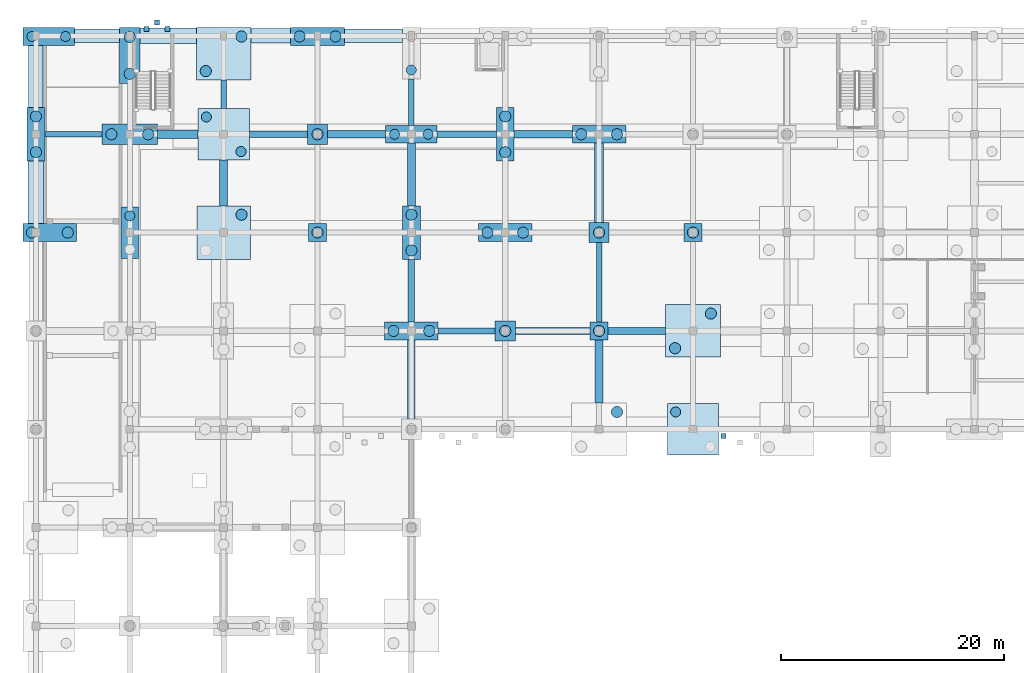
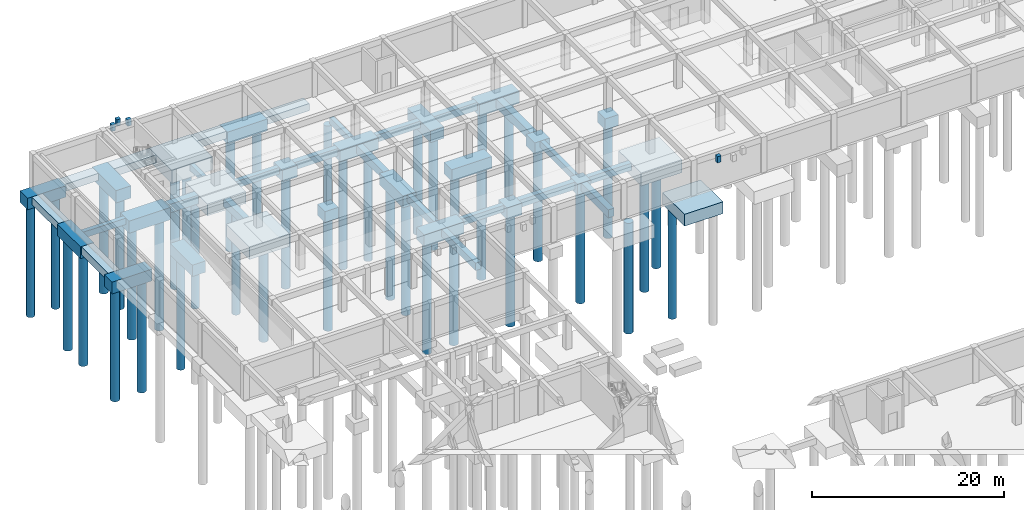
# One storey, part 6 of 41: 52 footings, 41 piles.
"""IFC4 building model written with IfcOpenShell, lengths in metres."""

import ifcopenshell
import ifcopenshell.guid

model = None  # the IFC model being written
_history = None  # IfcOwnerHistory: only IFC2X3 demands one
_inside = {}  # id of a spatial element -> (the spatial element, [elements in it])
_under = {}  # id of a project, library or spatial element -> (it, [spatial elements below it])
_declared = {}  # id of a project -> (the project, [libraries it declares])
_typed = {}  # id of a type object -> (the type object, [elements of that type])
_made_of = {}  # id of a material, layer set ... -> (it, [elements and type objects made of it])


def new_model(schema):
    """Start an empty IFC model of exactly this schema.

    Asked for "IFC4X3", IfcOpenShell would pick the latest addendum, in which some entities
    have other attributes; the version numbers below select the first issue.
    IFC2X3 requires an IfcOwnerHistory on every rooted entity: one is made here for all.
    """
    global model, _history
    if schema == "IFC4X3":
        model = ifcopenshell.file(schema_version=(4, 3, 0, 0))
    else:
        model = ifcopenshell.file(schema=schema)
    _inside.clear()
    _under.clear()
    _declared.clear()
    _typed.clear()
    _made_of.clear()
    _history = None
    if model.schema == "IFC2X3":
        org = make("IfcOrganization", Name="unknown")
        user = make(
            "IfcPersonAndOrganization",
            ThePerson=make("IfcPerson", FamilyName="unknown"),
            TheOrganization=org,
        )
        app = make(
            "IfcApplication",
            ApplicationDeveloper=org,
            Version="unknown",
            ApplicationFullName="unknown",
            ApplicationIdentifier="unknown",
        )
        _history = make(
            "IfcOwnerHistory",
            OwningUser=user,
            OwningApplication=app,
            ChangeAction="ADDED",
            CreationDate=0,
        )
    return model


def make(cls, **values):
    """One entity of the class cls with the attributes given. An attribute that is None is left unset."""
    return model.create_entity(
        cls, **{name: value for name, value in values.items() if value is not None}
    )


def rooted(cls, **values):
    """An entity with a GlobalId (a new one), such as an element, a storey or a relation."""
    return make(cls, GlobalId=ifcopenshell.guid.new(), OwnerHistory=_history, **values)


def si_unit(unit_type, name, prefix=None):
    """IfcSIUnit, for example si_unit("LENGTHUNIT", "METRE", prefix="MILLI")."""
    return make("IfcSIUnit", UnitType=unit_type, Prefix=prefix, Name=name)


def assignment(units):
    """IfcUnitAssignment: the units of a project."""
    return None if units is None else make("IfcUnitAssignment", Units=units)


def point(xyz):
    """IfcCartesianPoint."""
    return None if xyz is None else make("IfcCartesianPoint", Coordinates=xyz)


def direction(xyz):
    """IfcDirection."""
    return None if xyz is None else make("IfcDirection", DirectionRatios=xyz)


def frame(location, z_axis=None, x_axis=None):
    """IfcAxis2Placement3D, a coordinate frame: its origin and axes. An axis left out is left unset."""
    return make(
        "IfcAxis2Placement3D",
        Location=point(location),
        Axis=direction(z_axis),
        RefDirection=direction(x_axis),
    )


def frame_2d(location, x_axis=None):
    """IfcAxis2Placement2D, a coordinate frame in the plane: its origin and x axis."""
    return make(
        "IfcAxis2Placement2D", Location=point(location), RefDirection=direction(x_axis)
    )


def origin():
    """The frame at (0, 0, 0) with its axes left unset."""
    return frame((0.0, 0.0, 0.0))


def origin_2d():
    """The frame at (0, 0) in the plane with its x axis left unset."""
    return frame_2d((0.0, 0.0))


def place(relative_to, where):
    """IfcLocalPlacement: puts the frame where relative to a parent placement (None: the world)."""
    return make(
        "IfcLocalPlacement", PlacementRelTo=relative_to, RelativePlacement=where
    )


def context(
    kind, dimensions, precision=None, world=None, true_north=None, identifier=None
):
    """IfcGeometricRepresentationContext, for example the 3D "Model" context."""
    return make(
        "IfcGeometricRepresentationContext",
        ContextIdentifier=identifier,
        ContextType=kind,
        CoordinateSpaceDimension=dimensions,
        Precision=precision,
        WorldCoordinateSystem=world,
        TrueNorth=true_north,
    )


def subcontext(parent, identifier, kind, view, scale=None):
    """IfcGeometricRepresentationSubContext, for example "Body" below "Model"."""
    return make(
        "IfcGeometricRepresentationSubContext",
        ContextIdentifier=identifier,
        ContextType=kind,
        ParentContext=parent,
        TargetScale=scale,
        TargetView=view,
    )


def project(units=None, contexts=None):
    """IfcProject with its units and contexts."""
    return rooted(
        "IfcProject",
        Name="project",
        RepresentationContexts=contexts,
        UnitsInContext=assignment(units),
    )


def spatial(cls, under=None, at=None, **own):
    """A site, building, storey or space (cls), placed at a placement, below another one or the project."""
    s = rooted(cls, ObjectPlacement=at, **own)
    if under is not None:
        _under.setdefault(under.id(), (under, []))[1].append(s)
    return s


def profile(cls, at=None, kind="AREA", **sizes):
    """A parametric profile (cls). Its sizes go by their IFC names, for example OverallWidth=200.0."""
    return make(cls, ProfileType=kind, Position=at, **sizes)


def rectangle(**sizes):
    """IfcRectangleProfileDef."""
    return profile("IfcRectangleProfileDef", **sizes)


def circle(**sizes):
    """IfcCircleProfileDef."""
    return profile("IfcCircleProfileDef", **sizes)


def extrude(swept, where, along, depth):
    """IfcExtrudedAreaSolid: the profile swept, set in the frame where, extruded along a direction by depth."""
    return make(
        "IfcExtrudedAreaSolid",
        SweptArea=swept,
        Position=where,
        ExtrudedDirection=direction(along),
        Depth=depth,
    )


def shape(context_of_items, identifier, shape_type, items):
    """IfcShapeRepresentation: the items that make up one representation, for example the "Body"."""
    return make(
        "IfcShapeRepresentation",
        ContextOfItems=context_of_items,
        RepresentationIdentifier=identifier,
        RepresentationType=shape_type,
        Items=items,
    )


def material(Name=None, Category=None):
    """IfcMaterial."""
    return make("IfcMaterial", Name=Name, Category=Category)


def material_profile(
    of_material, cross_section, Name=None, Category=None, Priority=None
):
    """IfcMaterialProfile: a cross section and its material."""
    return make(
        "IfcMaterialProfile",
        Name=Name,
        Material=of_material,
        Profile=cross_section,
        Priority=Priority,
        Category=Category,
    )


def profile_set(profiles, Name=None, composite=None):
    """IfcMaterialProfileSet."""
    return make(
        "IfcMaterialProfileSet",
        Name=Name,
        MaterialProfiles=profiles,
        CompositeProfile=composite,
    )


def made_of(thing, what):
    """Note that an element or type object is made of a material, layer set ...; save() writes the relation."""
    if what is not None:
        _made_of.setdefault(what.id(), (what, []))[1].append(thing)
    return thing


def type_object(cls, material=None, **own):
    """A type object (cls), such as IfcWallType, which elements share."""
    return made_of(rooted(cls, **own), material)


def element(
    cls,
    number,
    at=None,
    inside=None,
    cuts=None,
    type_object=None,
    material=None,
    context=None,
    identifier="Body",
    shape_type=None,
    held_by="IfcProductDefinitionShape",
    body=None,
    shapes=None,
    **own,
):
    """One element of the class cls, such as IfcWall. Its Tag is "e" and its number.

    at: its placement. inside: the storey or other place that contains it. cuts: it is an
    opening in that element (IfcRelVoidsElement). A single representation is given by context,
    identifier, shape_type and body (its items); several are given by shapes. held_by: the class
    of the entity that holds the representations. save() writes the other relations.
    """
    e = rooted(cls, Tag="e%d" % number, ObjectPlacement=at, **own)
    if body is not None:
        shapes = [shape(context, identifier, shape_type, body)]
    if shapes is not None:
        e.Representation = make(held_by, Representations=shapes)
    if inside is not None:
        _inside.setdefault(inside.id(), (inside, []))[1].append(e)
    if cuts is not None:
        rooted(
            "IfcRelVoidsElement", RelatingBuildingElement=cuts, RelatedOpeningElement=e
        )
    if type_object is not None:
        _typed.setdefault(type_object.id(), (type_object, []))[1].append(e)
    return made_of(e, material)


def aggregate(whole, parts):
    """IfcRelAggregates: a whole, such as a stair, and the parts it consists of."""
    return rooted("IfcRelAggregates", RelatingObject=whole, RelatedObjects=parts)


def save(model, path):
    """Write the relations noted so far, then the file.

    IfcRelAggregates (storeys below a building ...), IfcRelContainedInSpatialStructure (elements
    in a storey), IfcRelDefinesByType, IfcRelAssociatesMaterial and IfcRelDeclares: one each for
    every whole, place, type object, material and project.
    """
    for whole, parts in _under.values():
        aggregate(whole, parts)
    for where, things in _inside.values():
        rooted(
            "IfcRelContainedInSpatialStructure",
            RelatedElements=things,
            RelatingStructure=where,
        )
    for kind, things in _typed.values():
        rooted("IfcRelDefinesByType", RelatedObjects=things, RelatingType=kind)
    for what, things in _made_of.values():
        rooted("IfcRelAssociatesMaterial", RelatedObjects=things, RelatingMaterial=what)
    for by, libraries in _declared.values():
        rooted("IfcRelDeclares", RelatingContext=by, RelatedDefinitions=libraries)
    model.write(path)


model = new_model("IFC4")

# Units and contexts
model_context = context("Model", 3, precision=1e-05, world=origin(), true_north=direction((0.0, 1.0)))
body_context = subcontext(model_context, "Body", "Model", "MODEL_VIEW")
ifc_project = project(units=[si_unit("LENGTHUNIT", "METRE"), si_unit("AREAUNIT", "SQUARE_METRE"), si_unit("VOLUMEUNIT", "CUBIC_METRE"), si_unit("PLANEANGLEUNIT", "RADIAN"), si_unit("MASSUNIT", "GRAM", prefix="KILO")], contexts=[model_context])

# Site, building, storey
site_placement = place(None, origin())
site = spatial("IfcSite", under=ifc_project, at=site_placement, CompositionType="ELEMENT")
building_placement = place(site_placement, origin())
building = spatial("IfcBuilding", under=site, at=building_placement, Name="Kemercrest Conservatory and Botanical Centre", CompositionType="ELEMENT")
storey_placement = place(building_placement, frame((0.0, 0.0, -4.5)))
storey = spatial("IfcBuildingStorey", under=building, at=storey_placement, Name="B1", CompositionType="ELEMENT", Elevation=-4.5)

# Piles
ifc_material = material(Name="Concrete C40/50", Category="concrete")
ifc_material_profile_1 = material_profile(ifc_material, circle(Radius=0.5, at=origin_2d()), Name="BORED PILE 1000")
ifc_profile_set_1 = profile_set([ifc_material_profile_1], Name="Concrete C40/50")
pile_type_1 = type_object("IfcPileType", Name="BP-01", PredefinedType="BORED", material=ifc_profile_set_1)
for number, where, z_axis, x_axis, name in (
    (1, (7.64990234375, 104.800048828125, -1.81005859375), (0.0, 0.0, -1.0), (1.0, 0.0, 0.0), "Bored pile BP-01 #36"),
    (2, (10.85009765625, 104.800048828125, -1.81005859375), (0.0, 0.0, -1.0), (1.0, 0.0, 0.0), "Bored pile BP-01 #37"),
    (3, (8.0, 112.0, -1.81005859375), (0.0, 0.0, -1.0), (1.0, 0.0, 0.0), "Bored pile BP-01 #38"),
    (4, (8.0, 115.199951171875, -1.81005859375), (0.0, 0.0, -1.0), (1.0, 0.0, 0.0), "Bored pile BP-01 #39"),
):
    element("IfcPile", number, at=place(storey_placement, frame(where, z_axis=z_axis, x_axis=x_axis)), inside=storey, type_object=pile_type_1, Name=name, PredefinedType="BORED", context=body_context, shape_type="SweptSolid", body=[
        extrude(circle(Radius=0.5, at=origin_2d()), origin(), (0.0, 0.0, 1.0), 14.18994140625),
    ])
for number, where, z_axis, x_axis, name in (
    (5, (14.75, 113.60009765625, -1.860107421875), (0.0, 0.0, -1.0), (1.0, 0.0, 0.0), "Bored pile BP-01 #64"),
    (6, (18.050048828125, 113.60009765625, -1.860107421875), (0.0, 0.0, -1.0), (1.0, 0.0, 0.0), "Bored pile BP-01 #65"),
    (7, (16.39990234375, 119.0, -1.860107421875), (0.0, 0.0, -1.0), (1.0, 0.0, 0.0), "Bored pile BP-01 #66"),
    (8, (16.39990234375, 122.300048828125, -1.860107421875), (0.0, 0.0, -1.0), (1.0, 0.0, 0.0), "Bored pile BP-01 #67"),
):
    element("IfcPile", number, at=place(storey_placement, frame(where, z_axis=z_axis, x_axis=x_axis)), inside=storey, type_object=pile_type_1, Name=name, PredefinedType="BORED", context=body_context, shape_type="SweptSolid", body=[
        extrude(circle(Radius=0.5, at=origin_2d()), origin(), (0.0, 0.0, 1.0), 14.139892578125),
    ])
pile_1_placement = place(storey_placement, frame((26.39990234375, 106.39990234375, -1.909912109375), z_axis=(0.0, 0.0, -1.0), x_axis=(1.0, 0.0, 0.0)))
element("IfcPile", 9, at=pile_1_placement, inside=storey, type_object=pile_type_1, Name="Bored pile BP-01 #89", PredefinedType="BORED", context=body_context, shape_type="SweptSolid", body=[
    extrude(circle(Radius=0.5, at=origin_2d()), origin(), (0.0, 0.0, 1.0), 14.090087890625),
])
for number, where, z_axis, x_axis, name in (
    (10, (23.199951171875, 119.25, -1.9599609375), (0.0, 0.0, -1.0), (1.0, 0.0, 0.0), "Bored pile BP-01 #92"),
    (11, (26.39990234375, 122.35009765625, -1.9599609375), (0.0, 0.0, -1.0), (1.0, 0.0, 0.0), "Bored pile BP-01 #93"),
):
    element("IfcPile", number, at=place(storey_placement, frame(where, z_axis=z_axis, x_axis=x_axis)), inside=storey, type_object=pile_type_1, Name=name, PredefinedType="BORED", context=body_context, shape_type="SweptSolid", body=[
        extrude(circle(Radius=0.5, at=origin_2d()), origin(), (0.0, 0.0, 1.0), 14.0400390625),
    ])
pile_2_placement = place(storey_placement, frame((33.199951171875, 104.800048828125, -1.7099609375), z_axis=(0.0, 0.0, -1.0), x_axis=(1.0, 0.0, 0.0)))
element("IfcPile", 12, at=pile_2_placement, inside=storey, type_object=pile_type_1, Name="Bored pile BP-01 #114", PredefinedType="BORED", context=body_context, shape_type="SweptSolid", body=[
    extrude(circle(Radius=0.5, at=origin_2d()), origin(), (0.0, 0.0, 1.0), 14.2900390625),
])
pile_3_placement = place(storey_placement, frame((33.199951171875, 113.60009765625, -1.760009765625), z_axis=(0.0, 0.0, -1.0), x_axis=(1.0, 0.0, 0.0)))
element("IfcPile", 13, at=pile_3_placement, inside=storey, type_object=pile_type_1, Name="Bored pile BP-01 #115", PredefinedType="BORED", context=body_context, shape_type="SweptSolid", body=[
    extrude(circle(Radius=0.5, at=origin_2d()), origin(), (0.0, 0.0, 1.0), 14.239990234375),
])
for number, where, z_axis, x_axis, name in (
    (14, (31.60009765625, 122.35009765625, -1.81005859375), (0.0, 0.0, -1.0), (1.0, 0.0, 0.0), "Bored pile BP-01 #116"),
    (15, (34.800048828125, 122.35009765625, -1.81005859375), (0.0, 0.0, -1.0), (1.0, 0.0, 0.0), "Bored pile BP-01 #117"),
    (16, (40.0, 96.0, -1.81005859375), (0.0, 0.0, -1.0), (1.0, 0.0, 0.0), "Bored pile BP-01 #136"),
    (17, (43.199951171875, 96.0, -1.81005859375), (0.0, 0.0, -1.0), (1.0, 0.0, 0.0), "Bored pile BP-01 #137"),
    (18, (41.60009765625, 103.199951171875, -1.81005859375), (0.0, 0.0, -1.0), (1.0, 0.0, 0.0), "Bored pile BP-01 #138"),
    (19, (41.60009765625, 106.39990234375, -1.81005859375), (0.0, 0.0, -1.0), (1.0, 0.0, 0.0), "Bored pile BP-01 #139"),
):
    element("IfcPile", number, at=place(storey_placement, frame(where, z_axis=z_axis, x_axis=x_axis)), inside=storey, type_object=pile_type_1, Name=name, PredefinedType="BORED", context=body_context, shape_type="SweptSolid", body=[
        extrude(circle(Radius=0.5, at=origin_2d()), origin(), (0.0, 0.0, 1.0), 14.18994140625),
    ])
pile_4_placement = place(storey_placement, frame((50.0, 96.0, -1.760009765625), z_axis=(0.0, 0.0, -1.0), x_axis=(1.0, 0.0, 0.0)))
element("IfcPile", 20, at=pile_4_placement, inside=storey, type_object=pile_type_1, Name="Bored pile BP-01 #155", PredefinedType="BORED", context=body_context, shape_type="SweptSolid", body=[
    extrude(circle(Radius=0.5, at=origin_2d()), origin(), (0.0, 0.0, 1.0), 14.239990234375),
])
for number, where, z_axis, x_axis, name in (
    (21, (48.39990234375, 104.800048828125, -1.81005859375), (0.0, 0.0, -1.0), (1.0, 0.0, 0.0), "Bored pile BP-01 #156"),
    (22, (51.60009765625, 104.800048828125, -1.81005859375), (0.0, 0.0, -1.0), (1.0, 0.0, 0.0), "Bored pile BP-01 #157"),
    (23, (50.0, 112.0, -1.81005859375), (0.0, 0.0, -1.0), (1.0, 0.0, 0.0), "Bored pile BP-01 #158"),
    (24, (50.0, 115.199951171875, -1.81005859375), (0.0, 0.0, -1.0), (1.0, 0.0, 0.0), "Bored pile BP-01 #159"),
):
    element("IfcPile", number, at=place(storey_placement, frame(where, z_axis=z_axis, x_axis=x_axis)), inside=storey, type_object=pile_type_1, Name=name, PredefinedType="BORED", context=body_context, shape_type="SweptSolid", body=[
        extrude(circle(Radius=0.5, at=origin_2d()), origin(), (0.0, 0.0, 1.0), 14.18994140625),
    ])
pile_5_placement = place(storey_placement, frame((60.0, 88.75, -1.9599609375), z_axis=(0.0, 0.0, -1.0), x_axis=(1.0, 0.0, 0.0)))
element("IfcPile", 25, at=pile_5_placement, inside=storey, type_object=pile_type_1, Name="Bored pile BP-01 #173", PredefinedType="BORED", context=body_context, shape_type="SweptSolid", body=[
    extrude(circle(Radius=0.5, at=origin_2d()), origin(), (0.0, 0.0, 1.0), 14.0400390625),
])
pile_6_placement = place(storey_placement, frame((58.39990234375, 96.0, -1.7099609375), z_axis=(0.0, 0.0, -1.0), x_axis=(1.0, 0.0, 0.0)))
element("IfcPile", 26, at=pile_6_placement, inside=storey, type_object=pile_type_1, Name="Bored pile BP-01 #174", PredefinedType="BORED", context=body_context, shape_type="SweptSolid", body=[
    extrude(circle(Radius=0.5, at=origin_2d()), origin(), (0.0, 0.0, 1.0), 14.2900390625),
])
pile_7_placement = place(storey_placement, frame((58.39990234375, 104.800048828125, -1.760009765625), z_axis=(0.0, 0.0, -1.0), x_axis=(1.0, 0.0, 0.0)))
element("IfcPile", 27, at=pile_7_placement, inside=storey, type_object=pile_type_1, Name="Bored pile BP-01 #175", PredefinedType="BORED", context=body_context, shape_type="SweptSolid", body=[
    extrude(circle(Radius=0.5, at=origin_2d()), origin(), (0.0, 0.0, 1.0), 14.239990234375),
])
for number, where, z_axis, x_axis, name in (
    (28, (56.800048828125, 113.60009765625, -1.81005859375), (0.0, 0.0, -1.0), (1.0, 0.0, 0.0), "Bored pile BP-01 #176"),
    (29, (60.0, 113.60009765625, -1.81005859375), (0.0, 0.0, -1.0), (1.0, 0.0, 0.0), "Bored pile BP-01 #177"),
):
    element("IfcPile", number, at=place(storey_placement, frame(where, z_axis=z_axis, x_axis=x_axis)), inside=storey, type_object=pile_type_1, Name=name, PredefinedType="BORED", context=body_context, shape_type="SweptSolid", body=[
        extrude(circle(Radius=0.5, at=origin_2d()), origin(), (0.0, 0.0, 1.0), 14.18994140625),
    ])
for number, where, z_axis, x_axis, name in (
    (30, (65.199951171875, 94.449951171875, -1.9599609375), (0.0, 0.0, -1.0), (1.0, 0.0, 0.0), "Bored pile BP-01 #192"),
    (31, (68.39990234375, 97.550048828125, -1.9599609375), (0.0, 0.0, -1.0), (1.0, 0.0, 0.0), "Bored pile BP-01 #193"),
):
    element("IfcPile", number, at=place(storey_placement, frame(where, z_axis=z_axis, x_axis=x_axis)), inside=storey, type_object=pile_type_1, Name=name, PredefinedType="BORED", context=body_context, shape_type="SweptSolid", body=[
        extrude(circle(Radius=0.5, at=origin_2d()), origin(), (0.0, 0.0, 1.0), 14.0400390625),
    ])
pile_8_placement = place(storey_placement, frame((66.800048828125, 104.800048828125, -1.7099609375), z_axis=(0.0, 0.0, -1.0), x_axis=(1.0, 0.0, 0.0)))
element("IfcPile", 32, at=pile_8_placement, inside=storey, type_object=pile_type_1, Name="Bored pile BP-01 #194", PredefinedType="BORED", context=body_context, shape_type="SweptSolid", body=[
    extrude(circle(Radius=0.5, at=origin_2d()), origin(), (0.0, 0.0, 1.0), 14.2900390625),
])
ifc_material_profile_2 = material_profile(ifc_material, circle(Radius=0.449951171875, at=origin_2d()), Name="BORED PILE 900")
ifc_profile_set_2 = profile_set([ifc_material_profile_2], Name="Concrete C40/50")
pile_type_2 = type_object("IfcPileType", Name="BP-02", PredefinedType="BORED", material=ifc_profile_set_2)
for number, where, z_axis, x_axis, name in (
    (33, (7.64990234375, 122.35009765625, -1.760009765625), (0.0, 0.0, -1.0), (1.0, 0.0, 0.0), "Bored pile BP-02 #40"),
    (34, (10.64990234375, 122.35009765625, -1.760009765625), (0.0, 0.0, -1.0), (1.0, 0.0, 0.0), "Bored pile BP-02 #41"),
    (35, (16.39990234375, 106.300048828125, -1.760009765625), (0.0, 0.0, -1.0), (1.0, 0.0, 0.0), "Bored pile BP-02 #63"),
):
    element("IfcPile", number, at=place(storey_placement, frame(where, z_axis=z_axis, x_axis=x_axis)), inside=storey, type_object=pile_type_2, Name=name, PredefinedType="BORED", context=body_context, shape_type="SweptSolid", body=[
        extrude(circle(Radius=0.449951171875, at=origin_2d()), origin(), (0.0, 0.0, 1.0), 14.239990234375),
    ])
for number, where, z_axis, x_axis, name in (
    (36, (23.25, 115.14990234375, -1.81005859375), (0.0, 0.0, -1.0), (1.0, 0.0, 0.0), "Bored pile BP-02 #90"),
    (37, (26.35009765625, 112.050048828125, -1.81005859375), (0.0, 0.0, -1.0), (1.0, 0.0, 0.0), "Bored pile BP-02 #91"),
):
    element("IfcPile", number, at=place(storey_placement, frame(where, z_axis=z_axis, x_axis=x_axis)), inside=storey, type_object=pile_type_2, Name=name, PredefinedType="BORED", context=body_context, shape_type="SweptSolid", body=[
        extrude(circle(Radius=0.449951171875, at=origin_2d()), origin(), (0.0, 0.0, 1.0), 14.18994140625),
    ])
for number, where, z_axis, x_axis, name in (
    (38, (40.10009765625, 113.60009765625, -1.760009765625), (0.0, 0.0, -1.0), (1.0, 0.0, 0.0), "Bored pile BP-02 #140"),
    (39, (43.10009765625, 113.60009765625, -1.760009765625), (0.0, 0.0, -1.0), (1.0, 0.0, 0.0), "Bored pile BP-02 #141"),
    (40, (41.60009765625, 119.35009765625, -1.760009765625), (0.0, 0.0, -1.0), (1.0, 0.0, 0.0), "Bored pile BP-02 #142"),
):
    element("IfcPile", number, at=place(storey_placement, frame(where, z_axis=z_axis, x_axis=x_axis)), inside=storey, type_object=pile_type_2, Name=name, PredefinedType="BORED", context=body_context, shape_type="SweptSolid", body=[
        extrude(circle(Radius=0.449951171875, at=origin_2d()), origin(), (0.0, 0.0, 1.0), 14.239990234375),
    ])
pile_9_placement = place(storey_placement, frame((65.25, 88.75, -1.81005859375), z_axis=(0.0, 0.0, -1.0), x_axis=(1.0, 0.0, 0.0)))
element("IfcPile", 41, at=pile_9_placement, inside=storey, type_object=pile_type_2, Name="Bored pile BP-02 #190", PredefinedType="BORED", context=body_context, shape_type="SweptSolid", body=[
    extrude(circle(Radius=0.449951171875, at=origin_2d()), origin(), (0.0, 0.0, 1.0), 14.18994140625),
])

# Footings
footing_type_1 = type_object("IfcFootingType", Name="FB-01", PredefinedType="FOOTING_BEAM", material=ifc_material)
footing_1_placement = place(storey_placement, frame((61.77490234375, 96.0, -1.31005859375), z_axis=(0.0, 0.0, 1.0), x_axis=(1.0, 0.0, 0.0)))
element("IfcFooting", 42, at=footing_1_placement, inside=storey, type_object=footing_type_1, Name="Seismic tie footing beam FB-01", PredefinedType="FOOTING_BEAM", context=body_context, shape_type="SweptSolid", body=[
    extrude(rectangle(XDim=5.14990234375, YDim=0.60009765625, at=origin_2d()), origin(), (0.0, 0.0, 1.0), 0.89990234375),
])
footing_2_placement = place(storey_placement, frame((46.550048828125, 113.60009765625, -1.31005859375), z_axis=(0.0, 0.0, 1.0), x_axis=(1.0, 0.0, 0.0)))
element("IfcFooting", 43, at=footing_2_placement, inside=storey, type_object=footing_type_1, Name="Seismic tie footing beam FB-01", PredefinedType="FOOTING_BEAM", context=body_context, shape_type="SweptSolid", body=[
    extrude(rectangle(XDim=5.300048828125, YDim=0.60009765625, at=origin_2d()), origin(), (0.0, 0.0, 1.0), 0.89990234375),
])
footing_3_placement = place(storey_placement, frame((41.60009765625, 99.60009765625, -1.31005859375), z_axis=(0.0, 0.0, 1.0), x_axis=(1.0, 0.0, 0.0)))
element("IfcFooting", 44, at=footing_3_placement, inside=storey, type_object=footing_type_1, Name="Seismic tie footing beam FB-01", PredefinedType="FOOTING_BEAM", context=body_context, shape_type="SweptSolid", body=[
    extrude(rectangle(XDim=0.60009765625, YDim=5.60009765625, at=origin_2d()), origin(), (0.0, 0.0, 1.0), 0.89990234375),
])
footing_type_2 = type_object("IfcFootingType", Name="FB-02", PredefinedType="FOOTING_BEAM", material=ifc_material)
footing_4_placement = place(storey_placement, frame((53.39990234375, 113.60009765625, -1.409912109375), z_axis=(0.0, 0.0, 1.0), x_axis=(1.0, 0.0, 0.0)))
element("IfcFooting", 45, at=footing_4_placement, inside=storey, type_object=footing_type_2, Name="Seismic tie footing beam FB-02", PredefinedType="FOOTING_BEAM", context=body_context, shape_type="SweptSolid", body=[
    extrude(rectangle(XDim=5.199951171875, YDim=0.699951171875, at=origin_2d()), origin(), (0.0, 0.0, 1.0), 1.0),
])
footing_5_placement = place(storey_placement, frame((24.800048828125, 109.25, -1.409912109375), z_axis=(0.0, 0.0, 1.0), x_axis=(1.0, 0.0, 0.0)))
element("IfcFooting", 46, at=footing_5_placement, inside=storey, type_object=footing_type_2, Name="Seismic tie footing beam FB-02", PredefinedType="FOOTING_BEAM", context=body_context, shape_type="SweptSolid", body=[
    extrude(rectangle(XDim=0.699951171875, YDim=4.10009765625, at=origin_2d()), origin(), (0.0, 0.0, 1.0), 1.0),
])
footing_6_placement = place(storey_placement, frame((41.60009765625, 110.0, -1.409912109375), z_axis=(0.0, 0.0, 1.0), x_axis=(1.0, 0.0, 0.0)))
element("IfcFooting", 47, at=footing_6_placement, inside=storey, type_object=footing_type_2, Name="Seismic tie footing beam FB-02", PredefinedType="FOOTING_BEAM", context=body_context, shape_type="SweptSolid", body=[
    extrude(rectangle(XDim=0.699951171875, YDim=5.60009765625, at=origin_2d()), origin(), (0.0, 0.0, 1.0), 1.0),
])
footing_7_placement = place(storey_placement, frame((58.39990234375, 92.375, -1.409912109375), z_axis=(0.0, 0.0, 1.0), x_axis=(1.0, 0.0, 0.0)))
element("IfcFooting", 48, at=footing_7_placement, inside=storey, type_object=footing_type_2, Name="Seismic tie footing beam FB-02", PredefinedType="FOOTING_BEAM", context=body_context, shape_type="SweptSolid", body=[
    extrude(rectangle(XDim=0.699951171875, YDim=5.64990234375, at=origin_2d()), origin(), (0.0, 0.0, 1.0), 1.0),
])
footing_type_3 = type_object("IfcFootingType", Name="FB-03", PredefinedType="FOOTING_BEAM", material=ifc_material)
footing_8_placement = place(storey_placement, frame((11.35009765625, 113.60009765625, -1.2099609375), z_axis=(0.0, 0.0, 1.0), x_axis=(1.0, 0.0, 0.0)))
element("IfcFooting", 49, at=footing_8_placement, inside=storey, type_object=footing_type_3, Name="Seismic tie footing beam FB-03", PredefinedType="FOOTING_BEAM", context=body_context, shape_type="SweptSolid", body=[
    extrude(rectangle(XDim=5.10009765625, YDim=0.5, at=origin_2d()), origin(), (0.0, 0.0, 1.0), 0.800048828125),
])
footing_9_placement = place(storey_placement, frame((24.800048828125, 117.175048828125, -1.2099609375), z_axis=(0.0, 0.0, 1.0), x_axis=(1.0, 0.0, 0.0)))
element("IfcFooting", 50, at=footing_9_placement, inside=storey, type_object=footing_type_3, Name="Seismic tie footing beam FB-03", PredefinedType="FOOTING_BEAM", context=body_context, shape_type="SweptSolid", body=[
    extrude(rectangle(XDim=0.5, YDim=2.550048828125, at=origin_2d()), origin(), (0.0, 0.0, 1.0), 0.800048828125),
])
footing_10_placement = place(storey_placement, frame((41.60009765625, 116.47509765625, -1.2099609375), z_axis=(0.0, 0.0, 1.0), x_axis=(1.0, 0.0, 0.0)))
element("IfcFooting", 51, at=footing_10_placement, inside=storey, type_object=footing_type_3, Name="Seismic tie footing beam FB-03", PredefinedType="FOOTING_BEAM", context=body_context, shape_type="SweptSolid", body=[
    extrude(rectangle(XDim=0.5, YDim=4.14990234375, at=origin_2d()), origin(), (0.0, 0.0, 1.0), 0.800048828125),
])
footing_11_placement = place(storey_placement, frame((58.39990234375, 100.35009765625, -1.2099609375), z_axis=(0.0, 0.0, 1.0), x_axis=(1.0, 0.0, 0.0)))
element("IfcFooting", 52, at=footing_11_placement, inside=storey, type_object=footing_type_3, Name="Seismic tie footing beam FB-03", PredefinedType="FOOTING_BEAM", context=body_context, shape_type="SweptSolid", body=[
    extrude(rectangle(XDim=0.5, YDim=7.10009765625, at=origin_2d()), origin(), (0.0, 0.0, 1.0), 0.800048828125),
])
footing_type_4 = type_object("IfcFootingType", Name="FB-04", PredefinedType="FOOTING_BEAM", material=ifc_material)
footing_12_placement = place(storey_placement, frame((20.699951171875, 113.60009765625, -1.510009765625), z_axis=(0.0, 0.0, 1.0), x_axis=(1.0, 0.0, 0.0)))
element("IfcFooting", 53, at=footing_12_placement, inside=storey, type_object=footing_type_4, Name="Seismic tie footing beam FB-04", PredefinedType="FOOTING_BEAM", context=body_context, shape_type="SweptSolid", body=[
    extrude(rectangle(XDim=3.60009765625, YDim=0.800048828125, at=origin_2d()), origin(), (0.0, 0.0, 1.0), 1.10009765625),
])
footing_13_placement = place(storey_placement, frame((58.39990234375, 109.25, -1.510009765625), z_axis=(0.0, 0.0, 1.0), x_axis=(1.0, 0.0, 0.0)))
element("IfcFooting", 54, at=footing_13_placement, inside=storey, type_object=footing_type_4, Name="Seismic tie footing beam FB-04", PredefinedType="FOOTING_BEAM", context=body_context, shape_type="SweptSolid", body=[
    extrude(rectangle(XDim=0.800048828125, YDim=7.10009765625, at=origin_2d()), origin(), (0.0, 0.0, 1.0), 1.10009765625),
])
footing_type_5 = type_object("IfcFootingType", Name="FB-05", PredefinedType="FOOTING_BEAM", material=ifc_material)
footing_14_placement = place(storey_placement, frame((46.550048828125, 96.0, -1.260009765625), z_axis=(0.0, 0.0, 1.0), x_axis=(1.0, 0.0, 0.0)))
element("IfcFooting", 55, at=footing_14_placement, inside=storey, type_object=footing_type_5, Name="Seismic tie footing beam FB-05", PredefinedType="FOOTING_BEAM", context=body_context, shape_type="SweptSolid", body=[
    extrude(rectangle(XDim=5.10009765625, YDim=0.550048828125, at=origin_2d()), origin(), (0.0, 0.0, 1.0), 0.85009765625),
])
footing_15_placement = place(storey_placement, frame((29.699951171875, 113.60009765625, -1.260009765625), z_axis=(0.0, 0.0, 1.0), x_axis=(1.0, 0.0, 0.0)))
element("IfcFooting", 56, at=footing_15_placement, inside=storey, type_object=footing_type_5, Name="Seismic tie footing beam FB-05", PredefinedType="FOOTING_BEAM", context=body_context, shape_type="SweptSolid", body=[
    extrude(rectangle(XDim=5.199951171875, YDim=0.550048828125, at=origin_2d()), origin(), (0.0, 0.0, 1.0), 0.85009765625),
])
footing_type_6 = type_object("IfcFootingType", Name="FB-06", PredefinedType="FOOTING_BEAM", material=ifc_material)
footing_16_placement = place(storey_placement, frame((54.25, 96.0, -1.35986328125), z_axis=(0.0, 0.0, 1.0), x_axis=(1.0, 0.0, 0.0)))
element("IfcFooting", 57, at=footing_16_placement, inside=storey, type_object=footing_type_6, Name="Seismic tie footing beam FB-06", PredefinedType="FOOTING_BEAM", context=body_context, shape_type="SweptSolid", body=[
    extrude(rectangle(XDim=6.699951171875, YDim=0.64990234375, at=origin_2d()), origin(), (0.0, 0.0, 1.0), 0.949951171875),
])
footing_17_placement = place(storey_placement, frame((36.699951171875, 113.60009765625, -1.35986328125), z_axis=(0.0, 0.0, 1.0), x_axis=(1.0, 0.0, 0.0)))
element("IfcFooting", 58, at=footing_17_placement, inside=storey, type_object=footing_type_6, Name="Seismic tie footing beam FB-06", PredefinedType="FOOTING_BEAM", context=body_context, shape_type="SweptSolid", body=[
    extrude(rectangle(XDim=5.199951171875, YDim=0.64990234375, at=origin_2d()), origin(), (0.0, 0.0, 1.0), 0.949951171875),
])
footing_18_placement = place(storey_placement, frame((41.60009765625, 91.64990234375, -1.35986328125), z_axis=(0.0, 0.0, 1.0), x_axis=(1.0, 0.0, 0.0)))
element("IfcFooting", 59, at=footing_18_placement, inside=storey, type_object=footing_type_6, Name="Seismic tie footing beam FB-06", PredefinedType="FOOTING_BEAM", context=body_context, shape_type="SweptSolid", body=[
    extrude(rectangle(XDim=0.64990234375, YDim=7.10009765625, at=origin_2d()), origin(), (0.0, 0.0, 1.0), 0.949951171875),
])
footing_type_7 = type_object("IfcFootingType", Name="PC-01", PredefinedType="PILE_CAP", material=ifc_material)
for number, where, z_axis, x_axis, name in (
    (60, (33.199951171875, 104.800048828125, -1.81005859375), (0.0, 0.0, 1.0), (1.0, 0.0, 0.0), "Pile cap PC-01 at (33.2, 104.8)"),
    (61, (58.39990234375, 96.0, -1.81005859375), (0.0, 0.0, 1.0), (1.0, 0.0, 0.0), "Pile cap PC-01 at (58.4, 96.0)"),
    (62, (66.800048828125, 104.800048828125, -1.81005859375), (0.0, 0.0, 1.0), (1.0, 0.0, 0.0), "Pile cap PC-01 at (66.8, 104.8)"),
):
    element("IfcFooting", number, at=place(storey_placement, frame(where, z_axis=z_axis, x_axis=x_axis)), inside=storey, type_object=footing_type_7, Name=name, PredefinedType="PILE_CAP", context=body_context, shape_type="SweptSolid", body=[
        extrude(rectangle(XDim=1.60009765625, YDim=1.60009765625, at=origin_2d()), origin(), (0.0, 0.0, 1.0), 1.39990234375),
    ])
footing_type_8 = type_object("IfcFootingType", Name="PC-02", PredefinedType="PILE_CAP", material=ifc_material)
for number, where, z_axis, x_axis, name in (
    (63, (9.25, 104.800048828125, -1.909912109375), (0.0, 0.0, 1.0), (1.0, 0.0, 0.0), "Pile cap PC-02 at (9.2, 104.8)"),
    (64, (33.199951171875, 122.35009765625, -1.909912109375), (0.0, 0.0, 1.0), (1.0, 0.0, 0.0), "Pile cap PC-02 at (33.2, 122.3)"),
    (65, (41.60009765625, 96.0, -1.909912109375), (0.0, 0.0, 1.0), (1.0, 0.0, 0.0), "Pile cap PC-02 at (41.6, 96.0)"),
    (66, (50.0, 104.800048828125, -1.909912109375), (0.0, 0.0, 1.0), (1.0, 0.0, 0.0), "Pile cap PC-02 at (50.0, 104.8)"),
    (67, (58.39990234375, 113.60009765625, -1.909912109375), (0.0, 0.0, 1.0), (1.0, 0.0, 0.0), "Pile cap PC-02 at (58.4, 113.6)"),
):
    element("IfcFooting", number, at=place(storey_placement, frame(where, z_axis=z_axis, x_axis=x_axis)), inside=storey, type_object=footing_type_8, Name=name, PredefinedType="PILE_CAP", context=body_context, shape_type="SweptSolid", body=[
        extrude(rectangle(XDim=4.800048828125, YDim=1.60009765625, at=origin_2d()), origin(), (0.0, 0.0, 1.0), 1.5),
    ])
footing_type_9 = type_object("IfcFootingType", Name="PC-03", PredefinedType="PILE_CAP", material=ifc_material)
for number, where, z_axis, x_axis, name in (
    (68, (8.0, 113.60009765625, -1.909912109375), (0.0, 0.0, 1.0), (1.0, 0.0, 0.0), "Pile cap PC-03 at (8.0, 113.6)"),
    (69, (41.60009765625, 104.800048828125, -1.909912109375), (0.0, 0.0, 1.0), (1.0, 0.0, 0.0), "Pile cap PC-03 at (41.6, 104.8)"),
    (70, (50.0, 113.60009765625, -1.909912109375), (0.0, 0.0, 1.0), (1.0, 0.0, 0.0), "Pile cap PC-03 at (50.0, 113.6)"),
):
    element("IfcFooting", number, at=place(storey_placement, frame(where, z_axis=z_axis, x_axis=x_axis)), inside=storey, type_object=footing_type_9, Name=name, PredefinedType="PILE_CAP", context=body_context, shape_type="SweptSolid", body=[
        extrude(rectangle(XDim=1.60009765625, YDim=4.800048828125, at=origin_2d()), origin(), (0.0, 0.0, 1.0), 1.5),
    ])
footing_type_10 = type_object("IfcFootingType", Name="PC-04", PredefinedType="PILE_CAP", material=ifc_material)
footing_19_placement = place(storey_placement, frame((24.800048828125, 104.800048828125, -2.010009765625), z_axis=(0.0, 0.0, 1.0), x_axis=(1.0, 0.0, 0.0)))
element("IfcFooting", 71, at=footing_19_placement, inside=storey, type_object=footing_type_10, Name="Pile cap PC-04 at (24.8, 104.8)", PredefinedType="PILE_CAP", context=body_context, shape_type="SweptSolid", body=[
    extrude(rectangle(XDim=4.800048828125, YDim=4.800048828125, at=origin_2d()), origin(), (0.0, 0.0, 1.0), 1.60009765625),
])
footing_type_11 = type_object("IfcFootingType", Name="PC-05", PredefinedType="PILE_CAP", material=ifc_material)
for number, where, z_axis, x_axis, name in (
    (72, (24.800048828125, 113.60009765625, -1.909912109375), (0.0, 0.0, 1.0), (1.0, 0.0, 0.0), "Pile cap PC-05 at (24.8, 113.6)"),
    (73, (66.800048828125, 87.199951171875, -1.909912109375), (0.0, 0.0, 1.0), (1.0, 0.0, 0.0), "Pile cap PC-05 at (66.8, 87.2)"),
):
    element("IfcFooting", number, at=place(storey_placement, frame(where, z_axis=z_axis, x_axis=x_axis)), inside=storey, type_object=footing_type_11, Name=name, PredefinedType="PILE_CAP", context=body_context, shape_type="SweptSolid", body=[
        extrude(rectangle(XDim=4.60009765625, YDim=4.60009765625, at=origin_2d()), origin(), (0.0, 0.0, 1.0), 1.5),
    ])
footing_type_12 = type_object("IfcFootingType", Name="PC-08", PredefinedType="PILE_CAP", material=ifc_material)
for number, where, z_axis, x_axis, name in (
    (74, (9.14990234375, 122.35009765625, -1.85986328125), (0.0, 0.0, 1.0), (1.0, 0.0, 0.0), "Pile cap PC-08 at (9.2, 122.3)"),
    (75, (41.60009765625, 113.60009765625, -1.85986328125), (0.0, 0.0, 1.0), (1.0, 0.0, 0.0), "Pile cap PC-08 at (41.6, 113.6)"),
):
    element("IfcFooting", number, at=place(storey_placement, frame(where, z_axis=z_axis, x_axis=x_axis)), inside=storey, type_object=footing_type_12, Name=name, PredefinedType="PILE_CAP", context=body_context, shape_type="SweptSolid", body=[
        extrude(rectangle(XDim=4.60009765625, YDim=1.60009765625, at=origin_2d()), origin(), (0.0, 0.0, 1.0), 1.449951171875),
    ])
footing_type_13 = type_object("IfcFootingType", Name="PC-09", PredefinedType="PILE_CAP", material=ifc_material)
footing_20_placement = place(storey_placement, frame((16.39990234375, 104.800048828125, -1.85986328125), z_axis=(0.0, 0.0, 1.0), x_axis=(1.0, 0.0, 0.0)))
element("IfcFooting", 76, at=footing_20_placement, inside=storey, type_object=footing_type_13, Name="Pile cap PC-09 at (16.4, 104.8)", PredefinedType="PILE_CAP", context=body_context, shape_type="SweptSolid", body=[
    extrude(rectangle(XDim=1.60009765625, YDim=4.60009765625, at=origin_2d()), origin(), (0.0, 0.0, 1.0), 1.449951171875),
])
footing_type_14 = type_object("IfcFootingType", Name="PC-12", PredefinedType="PILE_CAP", material=ifc_material)
for number, where, z_axis, x_axis, name in (
    (77, (33.199951171875, 113.60009765625, -1.85986328125), (0.0, 0.0, 1.0), (1.0, 0.0, 0.0), "Pile cap PC-12 at (33.2, 113.6)"),
    (78, (50.0, 96.0, -1.85986328125), (0.0, 0.0, 1.0), (1.0, 0.0, 0.0), "Pile cap PC-12 at (50.0, 96.0)"),
    (79, (58.39990234375, 104.800048828125, -1.85986328125), (0.0, 0.0, 1.0), (1.0, 0.0, 0.0), "Pile cap PC-12 at (58.4, 104.8)"),
):
    element("IfcFooting", number, at=place(storey_placement, frame(where, z_axis=z_axis, x_axis=x_axis)), inside=storey, type_object=footing_type_14, Name=name, PredefinedType="PILE_CAP", context=body_context, shape_type="SweptSolid", body=[
        extrude(rectangle(XDim=1.800048828125, YDim=1.800048828125, at=origin_2d()), origin(), (0.0, 0.0, 1.0), 1.449951171875),
    ])
footing_type_15 = type_object("IfcFootingType", Name="PC-13", PredefinedType="PILE_CAP", material=ifc_material)
footing_21_placement = place(storey_placement, frame((16.39990234375, 113.60009765625, -1.9599609375), z_axis=(0.0, 0.0, 1.0), x_axis=(1.0, 0.0, 0.0)))
element("IfcFooting", 80, at=footing_21_placement, inside=storey, type_object=footing_type_15, Name="Pile cap PC-13 at (16.4, 113.6)", PredefinedType="PILE_CAP", context=body_context, shape_type="SweptSolid", body=[
    extrude(rectangle(XDim=5.0, YDim=1.800048828125, at=origin_2d()), origin(), (0.0, 0.0, 1.0), 1.550048828125),
])
footing_type_16 = type_object("IfcFootingType", Name="PC-14", PredefinedType="PILE_CAP", material=ifc_material)
footing_22_placement = place(storey_placement, frame((16.39990234375, 120.64990234375, -1.9599609375), z_axis=(0.0, 0.0, 1.0), x_axis=(1.0, 0.0, 0.0)))
element("IfcFooting", 81, at=footing_22_placement, inside=storey, type_object=footing_type_16, Name="Pile cap PC-14 at (16.4, 120.7)", PredefinedType="PILE_CAP", context=body_context, shape_type="SweptSolid", body=[
    extrude(rectangle(XDim=1.800048828125, YDim=5.0, at=origin_2d()), origin(), (0.0, 0.0, 1.0), 1.550048828125),
])
footing_type_17 = type_object("IfcFootingType", Name="PC-16", PredefinedType="PILE_CAP", material=ifc_material)
for number, where, z_axis, x_axis, name in (
    (82, (24.800048828125, 120.800048828125, -2.06005859375), (0.0, 0.0, 1.0), (1.0, 0.0, 0.0), "Pile cap PC-16 at (24.8, 120.8)"),
    (83, (66.800048828125, 96.0, -2.06005859375), (0.0, 0.0, 1.0), (1.0, 0.0, 0.0), "Pile cap PC-16 at (66.8, 96.0)"),
):
    element("IfcFooting", number, at=place(storey_placement, frame(where, z_axis=z_axis, x_axis=x_axis)), inside=storey, type_object=footing_type_17, Name=name, PredefinedType="PILE_CAP", context=body_context, shape_type="SweptSolid", body=[
        extrude(rectangle(XDim=4.89990234375, YDim=4.699951171875, at=origin_2d()), origin(), (0.0, 0.0, 1.0), 1.64990234375),
    ])
footing_type_18 = type_object("IfcFootingType", Name="PF-01", PredefinedType="PAD_FOOTING", material=ifc_material)
for number, where, z_axis, x_axis, name in (
    (84, (69.52490234375, 86.60009765625, 3.52001953125), (0.0, 0.0, 1.0), (1.0, 0.0, 0.0), "Threshold pad ED024 grade pad footing L"),
    (85, (19.7900390625, 123.0, 3.52001953125), (0.0, 0.0, 1.0), (-1.0, 0.0, 0.0), "Threshold pad ED028 grade pad footing L"),
    (86, (17.889892578125, 123.0, 3.52001953125), (0.0, 0.0, 1.0), (-1.0, 0.0, 0.0), "Threshold pad ED028 grade pad footing R"),
    (87, (18.840087890625, 123.60009765625, 3.52001953125), (0.0, 0.0, 1.0), (-1.0, 0.0, 0.0), "Threshold pad ED028 grade pad footing F"),
):
    element("IfcFooting", number, at=place(storey_placement, frame(where, z_axis=z_axis, x_axis=x_axis)), inside=storey, type_object=footing_type_18, Name=name, PredefinedType="PAD_FOOTING", context=body_context, shape_type="SweptSolid", body=[
        extrude(rectangle(XDim=0.449951171875, YDim=0.449951171875, at=origin_2d()), origin(), (0.0, 0.0, 1.0), 0.800048828125),
    ])
footing_type_19 = type_object("IfcFootingType", Name="SF-01", PredefinedType="STRIP_FOOTING", material=ifc_material)
footing_23_placement = place(storey_placement, frame((13.47509765625, 122.39990234375, -1.31005859375), z_axis=(0.0, 0.0, 1.0), x_axis=(1.0, 0.0, 0.0)))
element("IfcFooting", 88, at=footing_23_placement, inside=storey, type_object=footing_type_19, Name="Perimeter strip footing SF-01", PredefinedType="STRIP_FOOTING", context=body_context, shape_type="SweptSolid", body=[
    extrude(rectangle(XDim=4.050048828125, YDim=1.199951171875, at=origin_2d()), origin(), (0.0, 0.0, 1.0), 0.89990234375),
])
footing_24_placement = place(storey_placement, frame((38.199951171875, 122.39990234375, -1.31005859375), z_axis=(0.0, 0.0, 1.0), x_axis=(1.0, 0.0, 0.0)))
element("IfcFooting", 89, at=footing_24_placement, inside=storey, type_object=footing_type_19, Name="Perimeter strip footing SF-01", PredefinedType="STRIP_FOOTING", context=body_context, shape_type="SweptSolid", body=[
    extrude(rectangle(XDim=5.199951171875, YDim=1.199951171875, at=origin_2d()), origin(), (0.0, 0.0, 1.0), 0.89990234375),
])
footing_type_20 = type_object("IfcFootingType", Name="SF-02", PredefinedType="STRIP_FOOTING", material=ifc_material)
footing_25_placement = place(storey_placement, frame((19.824951171875, 122.39990234375, -1.409912109375), z_axis=(0.0, 0.0, 1.0), x_axis=(1.0, 0.0, 0.0)))
element("IfcFooting", 90, at=footing_25_placement, inside=storey, type_object=footing_type_20, Name="Perimeter strip footing SF-02", PredefinedType="STRIP_FOOTING", context=body_context, shape_type="SweptSolid", body=[
    extrude(rectangle(XDim=5.050048828125, YDim=1.39990234375, at=origin_2d()), origin(), (0.0, 0.0, 1.0), 1.0),
])
footing_26_placement = place(storey_placement, frame((8.0, 108.39990234375, -1.409912109375), z_axis=(0.0, 0.0, 1.0), x_axis=(1.0, 0.0, 0.0)))
element("IfcFooting", 91, at=footing_26_placement, inside=storey, type_object=footing_type_20, Name="Perimeter strip footing SF-02", PredefinedType="STRIP_FOOTING", context=body_context, shape_type="SweptSolid", body=[
    extrude(rectangle(XDim=1.39990234375, YDim=5.60009765625, at=origin_2d()), origin(), (0.0, 0.0, 1.0), 1.0),
])
footing_type_21 = type_object("IfcFootingType", Name="SF-03", PredefinedType="STRIP_FOOTING", material=ifc_material)
footing_27_placement = place(storey_placement, frame((29.02490234375, 122.39990234375, -1.35986328125), z_axis=(0.0, 0.0, 1.0), x_axis=(1.0, 0.0, 0.0)))
element("IfcFooting", 92, at=footing_27_placement, inside=storey, type_object=footing_type_21, Name="Perimeter strip footing SF-03", PredefinedType="STRIP_FOOTING", context=body_context, shape_type="SweptSolid", body=[
    extrude(rectangle(XDim=3.550048828125, YDim=1.300048828125, at=origin_2d()), origin(), (0.0, 0.0, 1.0), 0.949951171875),
])
footing_28_placement = place(storey_placement, frame((8.0, 118.77490234375, -1.35986328125), z_axis=(0.0, 0.0, 1.0), x_axis=(1.0, 0.0, 0.0)))
element("IfcFooting", 93, at=footing_28_placement, inside=storey, type_object=footing_type_21, Name="Perimeter strip footing SF-03", PredefinedType="STRIP_FOOTING", context=body_context, shape_type="SweptSolid", body=[
    extrude(rectangle(XDim=1.300048828125, YDim=5.550048828125, at=origin_2d()), origin(), (0.0, 0.0, 1.0), 0.949951171875),
])

save(model, "model.ifc")
